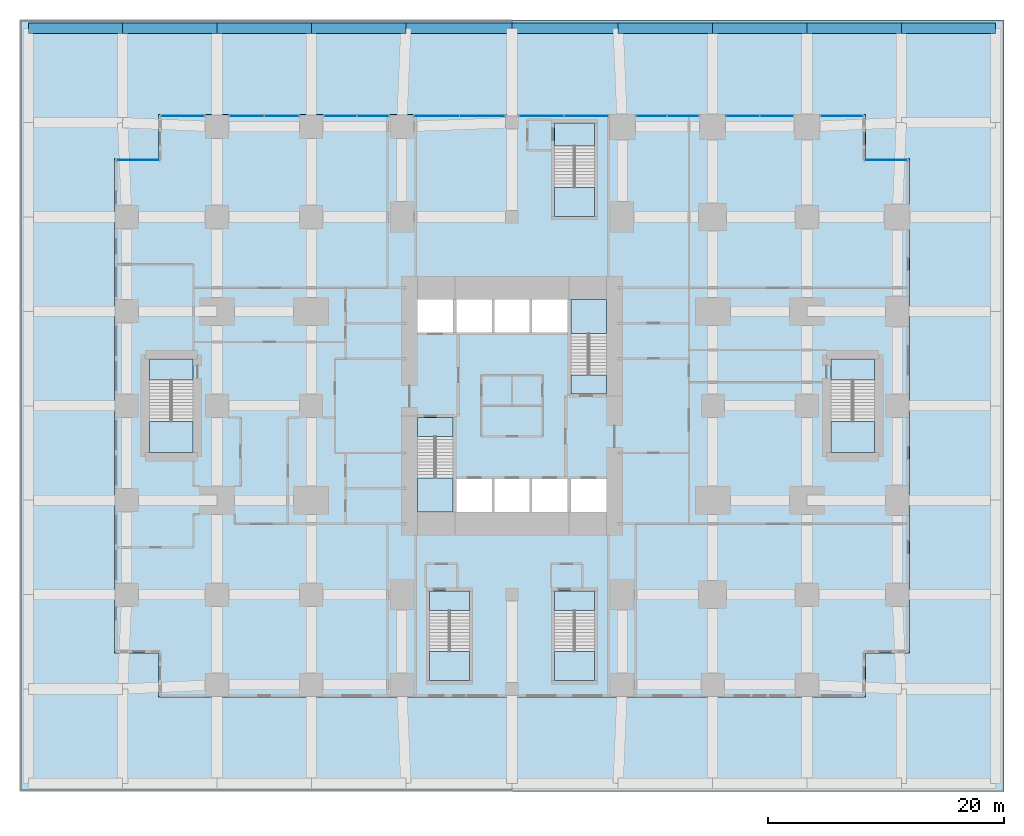
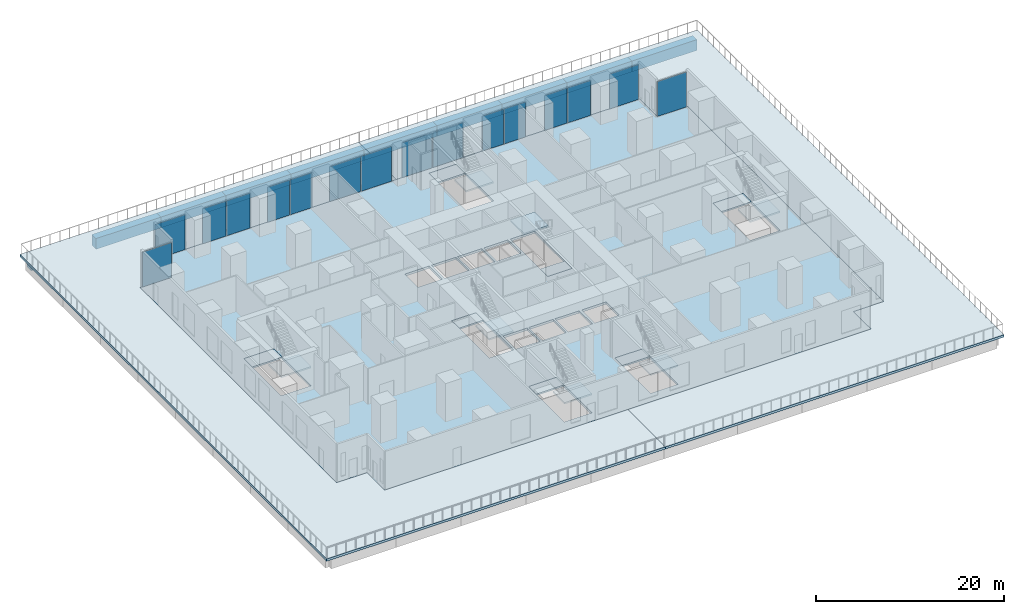
# One storey, part 6 of 16: 17 slabs, 16 plates, 10 beams, 17 elements without a shape of their own.
"""IFC4 building model written with IfcOpenShell, lengths in metres."""

from ifc_helpers import new_model, si_unit, direction, frame, origin, origin_2d, place, context, subcontext, project, spatial, polyline, rectangle, outline, extrude, material, layer, layer_set, material_profile, profile_set, type_object, element, aggregate, save


model = new_model("IFC4")

# Units and contexts
model_context = context("Model", 3, precision=1e-05, world=origin(), true_north=direction((0.0, 1.0)))
body_context = subcontext(model_context, "Body", "Model", "MODEL_VIEW")
ifc_project = project(units=[si_unit("LENGTHUNIT", "METRE"), si_unit("AREAUNIT", "SQUARE_METRE"), si_unit("VOLUMEUNIT", "CUBIC_METRE"), si_unit("PLANEANGLEUNIT", "RADIAN"), si_unit("MASSUNIT", "GRAM", prefix="KILO")], contexts=[model_context])

# Site, building, storey
site_placement = place(None, origin())
site = spatial("IfcSite", under=ifc_project, at=site_placement, CompositionType="ELEMENT")
building_placement = place(site_placement, origin())
building = spatial("IfcBuilding", under=site, at=building_placement, Name="Cleftline Residences", CompositionType="ELEMENT")
storey_placement = place(building_placement, frame((0.0, 0.0, 16.0)))
storey = spatial("IfcBuildingStorey", under=building, at=storey_placement, Name="L03", CompositionType="ELEMENT", Elevation=16.0)

# Beams
ifc_material_1 = material(Name="Concrete B45", Category="concrete")
ifc_material_profile = material_profile(ifc_material_1, rectangle(XDim=0.89990234375, YDim=1.39990234375, at=origin_2d()))
ifc_profile_set = profile_set([ifc_material_profile], Name="Concrete B45")
beam_type = type_object("IfcBeamType", Name="BEAM RC900X1400", PredefinedType="BEAM", material=ifc_profile_set)
for number, where, z_axis, x_axis, name in (
    (1, (-8.0, 56.0, -1.0), (1.0, 0.0, 0.0), (0.0, 1.0, 0.0), "Podium beam"),
    (2, (0.0, 56.0, -1.0), (1.0, 0.0, 0.0), (0.0, 1.0, 0.0), "Podium beam"),
    (3, (8.0, 56.0, -1.0), (1.0, 0.0, 0.0), (0.0, 1.0, 0.0), "Podium beam"),
    (4, (16.0, 56.0, -1.0), (1.0, 0.0, 0.0), (0.0, 1.0, 0.0), "Podium beam"),
):
    element("IfcBeam", number, at=place(storey_placement, frame(where, z_axis=z_axis, x_axis=x_axis)), inside=storey, type_object=beam_type, Name=name, PredefinedType="BEAM", context=body_context, shape_type="SweptSolid", body=[
        extrude(rectangle(XDim=0.89990234375, YDim=1.39990234375, at=origin_2d()), origin(), (0.0, 0.0, 1.0), 8.0),
    ])
for number, where, z_axis, x_axis, name in (
    (5, (24.0, 56.0, -1.0), (1.0, 0.0, 0.0), (0.0, 1.0, 0.0), "Podium beam"),
    (6, (33.0, 56.0, -1.0), (1.0, 0.0, 0.0), (0.0, 1.0, 0.0), "Podium beam"),
):
    element("IfcBeam", number, at=place(storey_placement, frame(where, z_axis=z_axis, x_axis=x_axis)), inside=storey, type_object=beam_type, Name=name, PredefinedType="BEAM", context=body_context, shape_type="SweptSolid", body=[
        extrude(rectangle(XDim=0.89990234375, YDim=1.39990234375, at=origin_2d()), origin(), (0.0, 0.0, 1.0), 9.0),
    ])
for number, where, z_axis, x_axis, name in (
    (7, (42.0, 56.0, -1.0), (1.0, 0.0, 0.0), (0.0, 1.0, 0.0), "Podium beam"),
    (8, (50.0, 56.0, -1.0), (1.0, 0.0, 0.0), (0.0, 1.0, 0.0), "Podium beam"),
    (9, (58.0, 56.0, -1.0), (1.0, 0.0, 0.0), (0.0, 1.0, 0.0), "Podium beam"),
    (10, (66.0, 56.0, -1.0), (1.0, 0.0, 0.0), (0.0, 1.0, 0.0), "Podium beam"),
):
    element("IfcBeam", number, at=place(storey_placement, frame(where, z_axis=z_axis, x_axis=x_axis)), inside=storey, type_object=beam_type, Name=name, PredefinedType="BEAM", context=body_context, shape_type="SweptSolid", body=[
        extrude(rectangle(XDim=0.89990234375, YDim=1.39990234375, at=origin_2d()), origin(), (0.0, 0.0, 1.0), 8.0),
    ])

# Curtain wall, plate
ifc_material_2 = material(Name="Aluminium framed curtain wall", Category="aluminium")
ifc_layer_1 = layer(ifc_material_2, 0.199951171875)
ifc_layer_set_1 = layer_set([ifc_layer_1], Name="CW2 PODIUM GLAZING")
curtain_wall_type = type_object("IfcCurtainWallType", Name="CW2 PODIUM GLAZING", PredefinedType="NOTDEFINED", material=ifc_layer_set_1)
curtain_wall_1_placement = place(storey_placement, origin())
curtain_wall_1 = element("IfcCurtainWall", 11, at=curtain_wall_1_placement, inside=storey, type_object=curtain_wall_type, Name="Curtain wall CW2", PredefinedType="NOTDEFINED")
ifc_material_3 = material(Name="Laminated clear glass", Category="glass")
ifc_layer_2 = layer(ifc_material_3, 0.028076171875)
ifc_layer_set_2 = layer_set([ifc_layer_2], Name="CW2 GLASS PANEL")
plate_type = type_object("IfcPlateType", Name="CW2 GLASS PANEL", PredefinedType="CURTAIN_PANEL", material=ifc_layer_set_2)
plate_1_placement = place(storey_placement, frame((64.699951171875, 44.824951171875, 0.080078125), z_axis=(0.0, 0.0, 1.0), x_axis=(-1.0, 0.0, 0.0)))
plate_1 = element("IfcPlate", 12, at=plate_1_placement, type_object=plate_type, Name="CW2 panel 1.1", PredefinedType="CURTAIN_PANEL", context=body_context, shape_type="SweptSolid", body=[
    extrude(rectangle(XDim=3.590087890625, YDim=0.028076171875, at=origin_2d()), origin(), (0.0, 0.0, 1.0), 4.5400390625),
])
aggregate(curtain_wall_1, [plate_1])

curtain_wall_2_placement = place(storey_placement, origin())
curtain_wall_2 = element("IfcCurtainWall", 13, at=curtain_wall_2_placement, inside=storey, type_object=curtain_wall_type, Name="Curtain wall CW2", PredefinedType="NOTDEFINED")
plate_2_placement = place(storey_placement, frame((60.96240234375, 48.574951171875, 0.080078125), z_axis=(0.0, 0.0, 1.0), x_axis=(-1.0, 0.0, 0.0)))
plate_2 = element("IfcPlate", 14, at=plate_2_placement, type_object=plate_type, Name="CW2 panel 1.1", PredefinedType="CURTAIN_PANEL", context=body_context, shape_type="SweptSolid", body=[
    extrude(rectangle(XDim=3.56494140625, YDim=0.028076171875, at=origin_2d()), origin(), (0.0, 0.0, 1.0), 4.5400390625),
])
aggregate(curtain_wall_2, [plate_2])

# Curtain wall, plates
curtain_wall_3_placement = place(storey_placement, origin())
curtain_wall_3 = element("IfcCurtainWall", 15, at=curtain_wall_3_placement, inside=storey, type_object=curtain_wall_type, Name="Curtain wall CW2", PredefinedType="NOTDEFINED")
plate_3_placement = place(storey_placement, frame((55.429931640625, 48.574951171875, 0.080078125), z_axis=(0.0, 0.0, 1.0), x_axis=(-1.0, 0.0, 0.0)))
plate_3 = element("IfcPlate", 16, at=plate_3_placement, type_object=plate_type, Name="CW2 panel 1.1", PredefinedType="CURTAIN_PANEL", context=body_context, shape_type="SweptSolid", body=[
    extrude(rectangle(XDim=2.780029296875, YDim=0.028076171875, at=origin_2d()), origin(), (0.0, 0.0, 1.0), 4.5400390625),
])
plate_4_placement = place(storey_placement, frame((52.570068359375, 48.574951171875, 0.080078125), z_axis=(0.0, 0.0, 1.0), x_axis=(-1.0, 0.0, 0.0)))
plate_4 = element("IfcPlate", 17, at=plate_4_placement, type_object=plate_type, Name="CW2 panel 2.1", PredefinedType="CURTAIN_PANEL", context=body_context, shape_type="SweptSolid", body=[
    extrude(rectangle(XDim=2.780029296875, YDim=0.028076171875, at=origin_2d()), origin(), (0.0, 0.0, 1.0), 4.5400390625),
])
aggregate(curtain_wall_3, [plate_3, plate_4])

curtain_wall_4_placement = place(storey_placement, origin())
curtain_wall_4 = element("IfcCurtainWall", 18, at=curtain_wall_4_placement, inside=storey, type_object=curtain_wall_type, Name="Curtain wall CW2", PredefinedType="NOTDEFINED")
plate_5_placement = place(storey_placement, frame((47.517578125, 48.574951171875, 0.080078125), z_axis=(0.0, 0.0, 1.0), x_axis=(-1.0, 0.0, 0.0)))
plate_5 = element("IfcPlate", 19, at=plate_5_placement, type_object=plate_type, Name="CW2 panel 1.1", PredefinedType="CURTAIN_PANEL", context=body_context, shape_type="SweptSolid", body=[
    extrude(rectangle(XDim=2.60498046875, YDim=0.028076171875, at=origin_2d()), origin(), (0.0, 0.0, 1.0), 4.5400390625),
])
plate_6_placement = place(storey_placement, frame((44.83251953125, 48.574951171875, 0.080078125), z_axis=(0.0, 0.0, 1.0), x_axis=(-1.0, 0.0, 0.0)))
plate_6 = element("IfcPlate", 20, at=plate_6_placement, type_object=plate_type, Name="CW2 panel 2.1", PredefinedType="CURTAIN_PANEL", context=body_context, shape_type="SweptSolid", body=[
    extrude(rectangle(XDim=2.60498046875, YDim=0.028076171875, at=origin_2d()), origin(), (0.0, 0.0, 1.0), 4.5400390625),
])
aggregate(curtain_wall_4, [plate_5, plate_6])

curtain_wall_5_placement = place(storey_placement, origin())
curtain_wall_5 = element("IfcCurtainWall", 21, at=curtain_wall_5_placement, inside=storey, type_object=curtain_wall_type, Name="Curtain wall CW2", PredefinedType="NOTDEFINED")
plate_7_placement = place(storey_placement, frame((39.304931640625, 48.574951171875, 0.080078125), z_axis=(0.0, 0.0, 1.0), x_axis=(-1.0, 0.0, 0.0)))
plate_7 = element("IfcPlate", 22, at=plate_7_placement, type_object=plate_type, Name="CW2 panel 1.1", PredefinedType="CURTAIN_PANEL", context=body_context, shape_type="SweptSolid", body=[
    extrude(rectangle(XDim=3.72998046875, YDim=0.028076171875, at=origin_2d()), origin(), (0.0, 0.0, 1.0), 4.5400390625),
])
plate_8_placement = place(storey_placement, frame((35.4951171875, 48.574951171875, 0.080078125), z_axis=(0.0, 0.0, 1.0), x_axis=(-1.0, 0.0, 0.0)))
plate_8 = element("IfcPlate", 23, at=plate_8_placement, type_object=plate_type, Name="CW2 panel 2.1", PredefinedType="CURTAIN_PANEL", context=body_context, shape_type="SweptSolid", body=[
    extrude(rectangle(XDim=3.72998046875, YDim=0.028076171875, at=origin_2d()), origin(), (0.0, 0.0, 1.0), 4.5400390625),
])
aggregate(curtain_wall_5, [plate_7, plate_8])

curtain_wall_6_placement = place(storey_placement, origin())
curtain_wall_6 = element("IfcCurtainWall", 24, at=curtain_wall_6_placement, inside=storey, type_object=curtain_wall_type, Name="Curtain wall CW2", PredefinedType="NOTDEFINED")
plate_9_placement = place(storey_placement, frame((30.47998046875, 48.574951171875, 0.080078125), z_axis=(0.0, 0.0, 1.0), x_axis=(-1.0, 0.0, 0.0)))
plate_9 = element("IfcPlate", 25, at=plate_9_placement, type_object=plate_type, Name="CW2 panel 1.1", PredefinedType="CURTAIN_PANEL", context=body_context, shape_type="SweptSolid", body=[
    extrude(rectangle(XDim=3.780029296875, YDim=0.028076171875, at=origin_2d()), origin(), (0.0, 0.0, 1.0), 4.5400390625),
])
plate_10_placement = place(storey_placement, frame((26.6201171875, 48.574951171875, 0.080078125), z_axis=(0.0, 0.0, 1.0), x_axis=(-1.0, 0.0, 0.0)))
plate_10 = element("IfcPlate", 26, at=plate_10_placement, type_object=plate_type, Name="CW2 panel 2.1", PredefinedType="CURTAIN_PANEL", context=body_context, shape_type="SweptSolid", body=[
    extrude(rectangle(XDim=3.780029296875, YDim=0.028076171875, at=origin_2d()), origin(), (0.0, 0.0, 1.0), 4.5400390625),
])
aggregate(curtain_wall_6, [plate_9, plate_10])

curtain_wall_7_placement = place(storey_placement, origin())
curtain_wall_7 = element("IfcCurtainWall", 27, at=curtain_wall_7_placement, inside=storey, type_object=curtain_wall_type, Name="Curtain wall CW2", PredefinedType="NOTDEFINED")
plate_11_placement = place(storey_placement, frame((21.217529296875, 48.574951171875, 0.080078125), z_axis=(0.0, 0.0, 1.0), x_axis=(-1.0, 0.0, 0.0)))
plate_11 = element("IfcPlate", 28, at=plate_11_placement, type_object=plate_type, Name="CW2 panel 1.1", PredefinedType="CURTAIN_PANEL", context=body_context, shape_type="SweptSolid", body=[
    extrude(rectangle(XDim=2.705078125, YDim=0.028076171875, at=origin_2d()), origin(), (0.0, 0.0, 1.0), 4.5400390625),
])
plate_12_placement = place(storey_placement, frame((18.4326171875, 48.574951171875, 0.080078125), z_axis=(0.0, 0.0, 1.0), x_axis=(-1.0, 0.0, 0.0)))
plate_12 = element("IfcPlate", 29, at=plate_12_placement, type_object=plate_type, Name="CW2 panel 2.1", PredefinedType="CURTAIN_PANEL", context=body_context, shape_type="SweptSolid", body=[
    extrude(rectangle(XDim=2.705078125, YDim=0.028076171875, at=origin_2d()), origin(), (0.0, 0.0, 1.0), 4.5400390625),
])
aggregate(curtain_wall_7, [plate_11, plate_12])

curtain_wall_8_placement = place(storey_placement, origin())
curtain_wall_8 = element("IfcCurtainWall", 30, at=curtain_wall_8_placement, inside=storey, type_object=curtain_wall_type, Name="Curtain wall CW2", PredefinedType="NOTDEFINED")
plate_13_placement = place(storey_placement, frame((13.47998046875, 48.574951171875, 0.080078125), z_axis=(0.0, 0.0, 1.0), x_axis=(-1.0, 0.0, 0.0)))
plate_13 = element("IfcPlate", 31, at=plate_13_placement, type_object=plate_type, Name="CW2 panel 1.1", PredefinedType="CURTAIN_PANEL", context=body_context, shape_type="SweptSolid", body=[
    extrude(rectangle(XDim=2.8798828125, YDim=0.028076171875, at=origin_2d()), origin(), (0.0, 0.0, 1.0), 4.5400390625),
])
plate_14_placement = place(storey_placement, frame((10.52001953125, 48.574951171875, 0.080078125), z_axis=(0.0, 0.0, 1.0), x_axis=(-1.0, 0.0, 0.0)))
plate_14 = element("IfcPlate", 32, at=plate_14_placement, type_object=plate_type, Name="CW2 panel 2.1", PredefinedType="CURTAIN_PANEL", context=body_context, shape_type="SweptSolid", body=[
    extrude(rectangle(XDim=2.8798828125, YDim=0.028076171875, at=origin_2d()), origin(), (0.0, 0.0, 1.0), 4.5400390625),
])
aggregate(curtain_wall_8, [plate_13, plate_14])

# Curtain wall, plate
curtain_wall_9_placement = place(storey_placement, origin())
curtain_wall_9 = element("IfcCurtainWall", 33, at=curtain_wall_9_placement, inside=storey, type_object=curtain_wall_type, Name="Curtain wall CW2", PredefinedType="NOTDEFINED")
plate_15_placement = place(storey_placement, frame((5.08740234375, 48.574951171875, 0.080078125), z_axis=(0.0, 0.0, 1.0), x_axis=(-1.0, 0.0, 0.0)))
plate_15 = element("IfcPlate", 34, at=plate_15_placement, type_object=plate_type, Name="CW2 panel 1.1", PredefinedType="CURTAIN_PANEL", context=body_context, shape_type="SweptSolid", body=[
    extrude(rectangle(XDim=3.6650390625, YDim=0.028076171875, at=origin_2d()), origin(), (0.0, 0.0, 1.0), 4.5400390625),
])
aggregate(curtain_wall_9, [plate_15])

curtain_wall_10_placement = place(storey_placement, origin())
curtain_wall_10 = element("IfcCurtainWall", 35, at=curtain_wall_10_placement, inside=storey, type_object=curtain_wall_type, Name="Curtain wall CW2", PredefinedType="NOTDEFINED")
plate_16_placement = place(storey_placement, frame((1.300048828125, 44.824951171875, 0.080078125), z_axis=(0.0, 0.0, 1.0), x_axis=(-1.0, 0.0, 0.0)))
plate_16 = element("IfcPlate", 36, at=plate_16_placement, type_object=plate_type, Name="CW2 panel 1.1", PredefinedType="CURTAIN_PANEL", context=body_context, shape_type="SweptSolid", body=[
    extrude(rectangle(XDim=3.590087890625, YDim=0.028076171875, at=origin_2d()), origin(), (0.0, 0.0, 1.0), 4.5400390625),
])
aggregate(curtain_wall_10, [plate_16])

# Slab
ifc_material_4 = material(Name="Concrete B45", Category="concrete")
ifc_layer_3 = layer(ifc_material_4, 0.300048828125)
ifc_layer_set_3 = layer_set([ifc_layer_3], Name="FLOOR SLAB 300")
slab_type_1 = type_object("IfcSlabType", Name="FLOOR SLAB 300", PredefinedType="FLOOR", material=ifc_layer_set_3)
slab_1_placement = place(storey_placement, frame((0.0, 0.0, -0.300048828125)))
element("IfcSlab", 37, at=slab_1_placement, inside=storey, type_object=slab_type_1, Name="Floor slab L03", PredefinedType="FLOOR", context=body_context, shape_type="SweptSolid", body=[
    extrude(outline(polyline([(66.699951171875, 3.050048828125), (66.699951171875, 44.949951171875), (62.949951171875, 44.949951171875), (62.949951171875, 48.699951171875), (3.050048828125, 48.699951171875), (3.050048828125, 44.949951171875), (-0.699951171875, 44.949951171875), (-0.699951171875, 3.050048828125), (3.050048828125, 3.050048828125), (3.050048828125, -0.699951171875), (62.949951171875, -0.699951171875), (62.949951171875, 3.050048828125), (66.699951171875, 3.050048828125)]), holes=[polyline([(28.0, 15.0), (28.0, 23.0), (25.0, 23.0), (25.0, 15.0), (28.0, 15.0)]), polyline([(41.0, 25.0), (41.0, 33.0), (38.0, 33.0), (38.0, 25.0), (41.0, 25.0)]), polyline([(28.0, 30.199951171875), (28.0, 33.0), (25.0, 33.0), (25.0, 30.199951171875), (28.0, 30.199951171875)]), polyline([(41.0, 15.0), (41.0, 17.800048828125), (38.0, 17.800048828125), (38.0, 15.0), (41.0, 15.0)]), polyline([(31.300048828125, 15.0), (31.300048828125, 17.800048828125), (28.300048828125, 17.800048828125), (28.300048828125, 15.0), (31.300048828125, 15.0)]), polyline([(34.5, 15.0), (34.5, 17.800048828125), (31.5, 17.800048828125), (31.5, 15.0), (34.5, 15.0)]), polyline([(37.699951171875, 15.0), (37.699951171875, 17.800048828125), (34.699951171875, 17.800048828125), (34.699951171875, 15.0), (37.699951171875, 15.0)]), polyline([(31.300048828125, 30.199951171875), (31.300048828125, 33.0), (28.300048828125, 33.0), (28.300048828125, 30.199951171875), (31.300048828125, 30.199951171875)]), polyline([(34.5, 30.199951171875), (34.5, 33.0), (31.5, 33.0), (31.5, 30.199951171875), (34.5, 30.199951171875)]), polyline([(37.699951171875, 30.199951171875), (37.699951171875, 33.0), (34.699951171875, 33.0), (34.699951171875, 30.199951171875), (37.699951171875, 30.199951171875)]), polyline([(29.39990234375, 0.699951171875), (29.39990234375, 8.300048828125), (26.0, 8.300048828125), (26.0, 0.699951171875), (29.39990234375, 0.699951171875)]), polyline([(40.0, 0.699951171875), (40.0, 8.300048828125), (36.60009765625, 8.300048828125), (36.60009765625, 0.699951171875), (40.0, 0.699951171875)]), polyline([(40.0, 40.050048828125), (40.0, 47.949951171875), (36.60009765625, 47.949951171875), (36.60009765625, 40.050048828125), (40.0, 40.050048828125)]), polyline([(63.72509765625, 20.02490234375), (63.72509765625, 27.97509765625), (60.02490234375, 27.97509765625), (60.02490234375, 20.02490234375), (63.72509765625, 20.02490234375)]), polyline([(5.97509765625, 20.02490234375), (5.97509765625, 27.97509765625), (2.27490234375, 27.97509765625), (2.27490234375, 20.02490234375), (5.97509765625, 20.02490234375)])]), origin(), (0.0, 0.0, 1.0), 0.300048828125),
])

# Stair, slabs
ifc_material_5 = material(Name="Concrete B45, stone treads", Category="masonry")
stair_type_1 = type_object("IfcStairType", Name="STAIR A 1450 WIDE 179 RISER", PredefinedType="HALF_TURN_STAIR", material=ifc_material_5)
stair_1_placement = place(storey_placement, origin())
stair_1 = element("IfcStair", 38, at=stair_1_placement, inside=storey, type_object=stair_type_1, Name="Stair A L03", PredefinedType="HALF_TURN_STAIR")
ifc_material_6 = material(Name="Concrete B45", Category="concrete")
ifc_layer_4 = layer(ifc_material_6, 0.199951171875)
ifc_layer_set_4 = layer_set([ifc_layer_4], Name="STAIR LANDING 200")
slab_type_2 = type_object("IfcSlabType", Name="STAIR LANDING 200", PredefinedType="LANDING", material=ifc_layer_set_4)
slab_2_placement = place(storey_placement, frame((0.0, 0.0, -0.199951171875)))
slab_2 = element("IfcSlab", 39, at=slab_2_placement, type_object=slab_type_2, Name="ST-A landing 1", PredefinedType="LANDING", context=body_context, shape_type="SweptSolid", body=[
    extrude(outline(polyline([(25.0, 21.39990234375), (28.0, 21.39990234375), (28.0, 23.0), (25.0, 23.0), (25.0, 21.39990234375)])), origin(), (0.0, 0.0, 1.0), 0.199951171875),
])
slab_3_placement = place(storey_placement, frame((0.0, 0.0, 2.300048828125)))
slab_3 = element("IfcSlab", 40, at=slab_3_placement, type_object=slab_type_2, Name="ST-A landing 2", PredefinedType="LANDING", context=body_context, shape_type="SweptSolid", body=[
    extrude(outline(polyline([(25.0, 15.0), (28.0, 15.0), (28.0, 17.889892578125), (25.0, 17.889892578125), (25.0, 15.0)])), origin(), (0.0, 0.0, 1.0), 0.199951171875),
])
aggregate(stair_1, [slab_2, slab_3])

ifc_material_7 = material(Name="Concrete B45, stone treads", Category="masonry")
stair_type_2 = type_object("IfcStairType", Name="STAIR B 1450 WIDE 179 RISER", PredefinedType="HALF_TURN_STAIR", material=ifc_material_7)
stair_2_placement = place(storey_placement, origin())
stair_2 = element("IfcStair", 41, at=stair_2_placement, inside=storey, type_object=stair_type_2, Name="Stair B L03", PredefinedType="HALF_TURN_STAIR")
slab_4_placement = place(storey_placement, frame((0.0, 0.0, -0.199951171875)))
slab_4 = element("IfcSlab", 42, at=slab_4_placement, type_object=slab_type_2, Name="ST-B landing 1", PredefinedType="LANDING", context=body_context, shape_type="SweptSolid", body=[
    extrude(outline(polyline([(38.0, 25.0), (41.0, 25.0), (41.0, 26.60009765625), (38.0, 26.60009765625), (38.0, 25.0)])), origin(), (0.0, 0.0, 1.0), 0.199951171875),
])
slab_5_placement = place(storey_placement, frame((0.0, 0.0, 2.300048828125)))
slab_5 = element("IfcSlab", 43, at=slab_5_placement, type_object=slab_type_2, Name="ST-B landing 2", PredefinedType="LANDING", context=body_context, shape_type="SweptSolid", body=[
    extrude(outline(polyline([(38.0, 30.110107421875), (41.0, 30.110107421875), (41.0, 33.0), (38.0, 33.0), (38.0, 30.110107421875)])), origin(), (0.0, 0.0, 1.0), 0.199951171875),
])
aggregate(stair_2, [slab_4, slab_5])

ifc_material_8 = material(Name="Concrete B45, stone treads", Category="masonry")
stair_type_3 = type_object("IfcStairType", Name="STAIR C 1630 WIDE 179 RISER", PredefinedType="HALF_TURN_STAIR", material=ifc_material_8)
stair_3_placement = place(storey_placement, origin())
stair_3 = element("IfcStair", 44, at=stair_3_placement, inside=storey, type_object=stair_type_3, Name="Stair C L03", PredefinedType="HALF_TURN_STAIR")
slab_6_placement = place(storey_placement, frame((0.0, 0.0, -0.199951171875)))
slab_6 = element("IfcSlab", 45, at=slab_6_placement, type_object=slab_type_2, Name="ST-C landing 1", PredefinedType="LANDING", context=body_context, shape_type="SweptSolid", body=[
    extrude(outline(polyline([(26.0, 6.669921875), (29.39990234375, 6.669921875), (29.39990234375, 8.300048828125), (26.0, 8.300048828125), (26.0, 6.669921875)])), origin(), (0.0, 0.0, 1.0), 0.199951171875),
])
slab_7_placement = place(storey_placement, frame((0.0, 0.0, 2.300048828125)))
slab_7 = element("IfcSlab", 46, at=slab_7_placement, type_object=slab_type_2, Name="ST-C landing 2", PredefinedType="LANDING", context=body_context, shape_type="SweptSolid", body=[
    extrude(outline(polyline([(26.0, 0.699951171875), (29.39990234375, 0.699951171875), (29.39990234375, 3.159912109375), (26.0, 3.159912109375), (26.0, 0.699951171875)])), origin(), (0.0, 0.0, 1.0), 0.199951171875),
])
aggregate(stair_3, [slab_6, slab_7])

ifc_material_9 = material(Name="Concrete B45, stone treads", Category="masonry")
stair_type_4 = type_object("IfcStairType", Name="STAIR C2 1630 WIDE 179 RISER", PredefinedType="HALF_TURN_STAIR", material=ifc_material_9)
stair_4_placement = place(storey_placement, origin())
stair_4 = element("IfcStair", 47, at=stair_4_placement, inside=storey, type_object=stair_type_4, Name="Stair C2 L03", PredefinedType="HALF_TURN_STAIR")
slab_8_placement = place(storey_placement, frame((0.0, 0.0, -0.199951171875)))
slab_8 = element("IfcSlab", 48, at=slab_8_placement, type_object=slab_type_2, Name="ST-C2 landing 1", PredefinedType="LANDING", context=body_context, shape_type="SweptSolid", body=[
    extrude(outline(polyline([(36.60009765625, 6.669921875), (40.0, 6.669921875), (40.0, 8.300048828125), (36.60009765625, 8.300048828125), (36.60009765625, 6.669921875)])), origin(), (0.0, 0.0, 1.0), 0.199951171875),
])
slab_9_placement = place(storey_placement, frame((0.0, 0.0, 2.300048828125)))
slab_9 = element("IfcSlab", 49, at=slab_9_placement, type_object=slab_type_2, Name="ST-C2 landing 2", PredefinedType="LANDING", context=body_context, shape_type="SweptSolid", body=[
    extrude(outline(polyline([(36.60009765625, 0.699951171875), (40.0, 0.699951171875), (40.0, 3.159912109375), (36.60009765625, 3.159912109375), (36.60009765625, 0.699951171875)])), origin(), (0.0, 0.0, 1.0), 0.199951171875),
])
aggregate(stair_4, [slab_8, slab_9])

ifc_material_10 = material(Name="Concrete B45, stone treads", Category="masonry")
stair_type_5 = type_object("IfcStairType", Name="STAIR D 1630 WIDE 179 RISER", PredefinedType="HALF_TURN_STAIR", material=ifc_material_10)
stair_5_placement = place(storey_placement, origin())
stair_5 = element("IfcStair", 50, at=stair_5_placement, inside=storey, type_object=stair_type_5, Name="Stair D L03", PredefinedType="HALF_TURN_STAIR")
slab_10_placement = place(storey_placement, frame((0.0, 0.0, -0.199951171875)))
slab_10 = element("IfcSlab", 51, at=slab_10_placement, type_object=slab_type_2, Name="ST-D landing 1", PredefinedType="LANDING", context=body_context, shape_type="SweptSolid", body=[
    extrude(outline(polyline([(36.60009765625, 46.02001953125), (40.0, 46.02001953125), (40.0, 47.949951171875), (36.60009765625, 47.949951171875), (36.60009765625, 46.02001953125)])), origin(), (0.0, 0.0, 1.0), 0.199951171875),
])
slab_11_placement = place(storey_placement, frame((0.0, 0.0, 2.300048828125)))
slab_11 = element("IfcSlab", 52, at=slab_11_placement, type_object=slab_type_2, Name="ST-D landing 2", PredefinedType="LANDING", context=body_context, shape_type="SweptSolid", body=[
    extrude(outline(polyline([(36.60009765625, 40.050048828125), (40.0, 40.050048828125), (40.0, 42.510009765625), (36.60009765625, 42.510009765625), (36.60009765625, 40.050048828125)])), origin(), (0.0, 0.0, 1.0), 0.199951171875),
])
aggregate(stair_5, [slab_10, slab_11])

ifc_material_11 = material(Name="Concrete B45, stone treads", Category="masonry")
stair_type_6 = type_object("IfcStairType", Name="STAIR E 1800 WIDE 179 RISER", PredefinedType="HALF_TURN_STAIR", material=ifc_material_11)
stair_6_placement = place(storey_placement, origin())
stair_6 = element("IfcStair", 53, at=stair_6_placement, inside=storey, type_object=stair_type_6, Name="Stair E L03", PredefinedType="HALF_TURN_STAIR")
slab_12_placement = place(storey_placement, frame((0.0, 0.0, -0.199951171875)))
slab_12 = element("IfcSlab", 54, at=slab_12_placement, type_object=slab_type_2, Name="ST-E landing 1", PredefinedType="LANDING", context=body_context, shape_type="SweptSolid", body=[
    extrude(outline(polyline([(60.02490234375, 26.175048828125), (63.72509765625, 26.175048828125), (63.72509765625, 27.97509765625), (60.02490234375, 27.97509765625), (60.02490234375, 26.175048828125)])), origin(), (0.0, 0.0, 1.0), 0.199951171875),
])
slab_13_placement = place(storey_placement, frame((0.0, 0.0, 2.300048828125)))
slab_13 = element("IfcSlab", 55, at=slab_13_placement, type_object=slab_type_2, Name="ST-E landing 2", PredefinedType="LANDING", context=body_context, shape_type="SweptSolid", body=[
    extrude(outline(polyline([(60.02490234375, 20.02490234375), (63.72509765625, 20.02490234375), (63.72509765625, 22.6650390625), (60.02490234375, 22.6650390625), (60.02490234375, 20.02490234375)])), origin(), (0.0, 0.0, 1.0), 0.199951171875),
])
aggregate(stair_6, [slab_12, slab_13])

ifc_material_12 = material(Name="Concrete B45, stone treads", Category="masonry")
stair_type_7 = type_object("IfcStairType", Name="STAIR W 1800 WIDE 179 RISER", PredefinedType="HALF_TURN_STAIR", material=ifc_material_12)
stair_7_placement = place(storey_placement, origin())
stair_7 = element("IfcStair", 56, at=stair_7_placement, inside=storey, type_object=stair_type_7, Name="Stair W L03", PredefinedType="HALF_TURN_STAIR")
slab_14_placement = place(storey_placement, frame((0.0, 0.0, -0.199951171875)))
slab_14 = element("IfcSlab", 57, at=slab_14_placement, type_object=slab_type_2, Name="ST-W landing 1", PredefinedType="LANDING", context=body_context, shape_type="SweptSolid", body=[
    extrude(outline(polyline([(2.27490234375, 26.175048828125), (5.97509765625, 26.175048828125), (5.97509765625, 27.97509765625), (2.27490234375, 27.97509765625), (2.27490234375, 26.175048828125)])), origin(), (0.0, 0.0, 1.0), 0.199951171875),
])
slab_15_placement = place(storey_placement, frame((0.0, 0.0, 2.300048828125)))
slab_15 = element("IfcSlab", 58, at=slab_15_placement, type_object=slab_type_2, Name="ST-W landing 2", PredefinedType="LANDING", context=body_context, shape_type="SweptSolid", body=[
    extrude(outline(polyline([(2.27490234375, 20.02490234375), (5.97509765625, 20.02490234375), (5.97509765625, 22.6650390625), (2.27490234375, 22.6650390625), (2.27490234375, 20.02490234375)])), origin(), (0.0, 0.0, 1.0), 0.199951171875),
])
aggregate(stair_7, [slab_14, slab_15])

# Slabs
ifc_material_13 = material(Name="Concrete B45", Category="concrete")
ifc_layer_5 = layer(ifc_material_13, 0.300048828125)
ifc_layer_set_5 = layer_set([ifc_layer_5], Name="TERRACE SLAB 300")
slab_type_3 = type_object("IfcSlabType", Name="TERRACE SLAB 300", PredefinedType="FLOOR", material=ifc_layer_set_5)
slab_16_placement = place(storey_placement, frame((0.0, 0.0, -0.300048828125)))
element("IfcSlab", 59, at=slab_16_placement, inside=storey, type_object=slab_type_3, Name="Terrace slab L03 1", PredefinedType="FLOOR", context=body_context, shape_type="SweptSolid", body=[
    extrude(outline(polyline([(-8.68994140625, -8.699951171875), (33.0, -8.699951171875), (33.0, -0.699951171875), (3.05029296875, -0.699951171875), (3.050048828125, -0.699951171875), (3.050048828125, -0.69970703125), (3.050048828125, 3.0400390625), (3.050048828125, 3.041015625), (3.0498046875, 3.0419921875), (3.049560546875, 3.04296875), (3.04931640625, 3.043701171875), (3.048828125, 3.044677734375), (3.04833984375, 3.045654296875), (3.047607421875, 3.04638671875), (3.047119140625, 3.047119140625), (3.04638671875, 3.047607421875), (3.045654296875, 3.04833984375), (3.044677734375, 3.048828125), (3.043701171875, 3.04931640625), (3.04296875, 3.049560546875), (3.0419921875, 3.0498046875), (3.041015625, 3.050048828125), (3.0400390625, 3.050048828125), (-0.69970703125, 3.050048828125), (-0.699951171875, 3.050048828125), (-0.699951171875, 3.05029296875), (-0.699951171875, 44.94970703125), (-0.699951171875, 44.949951171875), (-0.69970703125, 44.949951171875), (3.0400390625, 44.949951171875), (3.041015625, 44.949951171875), (3.0419921875, 44.9501953125), (3.04296875, 44.950439453125), (3.043701171875, 44.95068359375), (3.044677734375, 44.951171875), (3.045654296875, 44.95166015625), (3.04638671875, 44.952392578125), (3.047119140625, 44.952880859375), (3.047607421875, 44.95361328125), (3.04833984375, 44.954345703125), (3.048828125, 44.955322265625), (3.04931640625, 44.956298828125), (3.049560546875, 44.95703125), (3.0498046875, 44.9580078125), (3.050048828125, 44.958984375), (3.050048828125, 44.9599609375), (3.050048828125, 48.69970703125), (3.050048828125, 48.699951171875), (3.05029296875, 48.699951171875), (33.0, 48.699951171875), (33.0, 56.699951171875), (-8.68994140625, 56.699951171875), (-8.69091796875, 56.699951171875), (-8.69189453125, 56.69970703125), (-8.69287109375, 56.69970703125), (-8.69384765625, 56.69921875), (-8.694580078125, 56.69873046875), (-8.695556640625, 56.6982421875), (-8.6962890625, 56.69775390625), (-8.697021484375, 56.697021484375), (-8.69775390625, 56.6962890625), (-8.6982421875, 56.695556640625), (-8.69873046875, 56.694580078125), (-8.69921875, 56.69384765625), (-8.69970703125, 56.69287109375), (-8.69970703125, 56.69189453125), (-8.699951171875, 56.69091796875), (-8.699951171875, 56.68994140625), (-8.699951171875, -8.68994140625), (-8.699951171875, -8.69091796875), (-8.69970703125, -8.69189453125), (-8.69970703125, -8.69287109375), (-8.69921875, -8.69384765625), (-8.69873046875, -8.694580078125), (-8.6982421875, -8.695556640625), (-8.69775390625, -8.6962890625), (-8.697021484375, -8.697021484375), (-8.6962890625, -8.69775390625), (-8.695556640625, -8.6982421875), (-8.694580078125, -8.69873046875), (-8.69384765625, -8.69921875), (-8.69287109375, -8.69970703125), (-8.69189453125, -8.69970703125), (-8.69091796875, -8.699951171875), (-8.68994140625, -8.699951171875)])), origin(), (0.0, 0.0, 1.0), 0.300048828125),
])
slab_17_placement = place(storey_placement, frame((0.0, 0.0, -0.300048828125)))
element("IfcSlab", 60, at=slab_17_placement, inside=storey, type_object=slab_type_3, Name="Terrace slab L03 2", PredefinedType="FLOOR", context=body_context, shape_type="SweptSolid", body=[
    extrude(outline(polyline([(33.0, 56.699951171875), (33.0, 48.699951171875), (62.94970703125, 48.699951171875), (62.949951171875, 48.699951171875), (62.949951171875, 48.69970703125), (62.949951171875, 44.9599609375), (62.949951171875, 44.958984375), (62.9501953125, 44.9580078125), (62.950439453125, 44.95703125), (62.95068359375, 44.956298828125), (62.951171875, 44.955322265625), (62.95166015625, 44.954345703125), (62.952392578125, 44.95361328125), (62.952880859375, 44.952880859375), (62.95361328125, 44.952392578125), (62.954345703125, 44.95166015625), (62.955322265625, 44.951171875), (62.956298828125, 44.95068359375), (62.95703125, 44.950439453125), (62.9580078125, 44.9501953125), (62.958984375, 44.949951171875), (62.9599609375, 44.949951171875), (66.69970703125, 44.949951171875), (66.699951171875, 44.949951171875), (66.699951171875, 44.94970703125), (66.699951171875, 3.05029296875), (66.699951171875, 3.050048828125), (66.69970703125, 3.050048828125), (62.9599609375, 3.050048828125), (62.958984375, 3.050048828125), (62.9580078125, 3.0498046875), (62.95703125, 3.049560546875), (62.956298828125, 3.04931640625), (62.955322265625, 3.048828125), (62.954345703125, 3.04833984375), (62.95361328125, 3.047607421875), (62.952880859375, 3.047119140625), (62.952392578125, 3.04638671875), (62.95166015625, 3.045654296875), (62.951171875, 3.044677734375), (62.95068359375, 3.043701171875), (62.950439453125, 3.04296875), (62.9501953125, 3.0419921875), (62.949951171875, 3.041015625), (62.949951171875, 3.0400390625), (62.949951171875, -0.69970703125), (62.949951171875, -0.699951171875), (62.94970703125, -0.699951171875), (33.0, -0.699951171875), (33.0, -8.699951171875), (74.68994140625, -8.699951171875), (74.69091796875, -8.699951171875), (74.69189453125, -8.69970703125), (74.69287109375, -8.69970703125), (74.69384765625, -8.69921875), (74.694580078125, -8.69873046875), (74.695556640625, -8.6982421875), (74.6962890625, -8.69775390625), (74.697021484375, -8.697021484375), (74.69775390625, -8.6962890625), (74.6982421875, -8.695556640625), (74.69873046875, -8.694580078125), (74.69921875, -8.69384765625), (74.69970703125, -8.69287109375), (74.69970703125, -8.69189453125), (74.699951171875, -8.69091796875), (74.699951171875, -8.68994140625), (74.699951171875, 56.68994140625), (74.699951171875, 56.69091796875), (74.69970703125, 56.69189453125), (74.69970703125, 56.69287109375), (74.69921875, 56.69384765625), (74.69873046875, 56.694580078125), (74.6982421875, 56.695556640625), (74.69775390625, 56.6962890625), (74.697021484375, 56.697021484375), (74.6962890625, 56.69775390625), (74.695556640625, 56.6982421875), (74.694580078125, 56.69873046875), (74.69384765625, 56.69921875), (74.69287109375, 56.69970703125), (74.69189453125, 56.69970703125), (74.69091796875, 56.699951171875), (74.68994140625, 56.699951171875), (33.0, 56.699951171875)])), origin(), (0.0, 0.0, 1.0), 0.300048828125),
])

save(model, "model.ifc")
